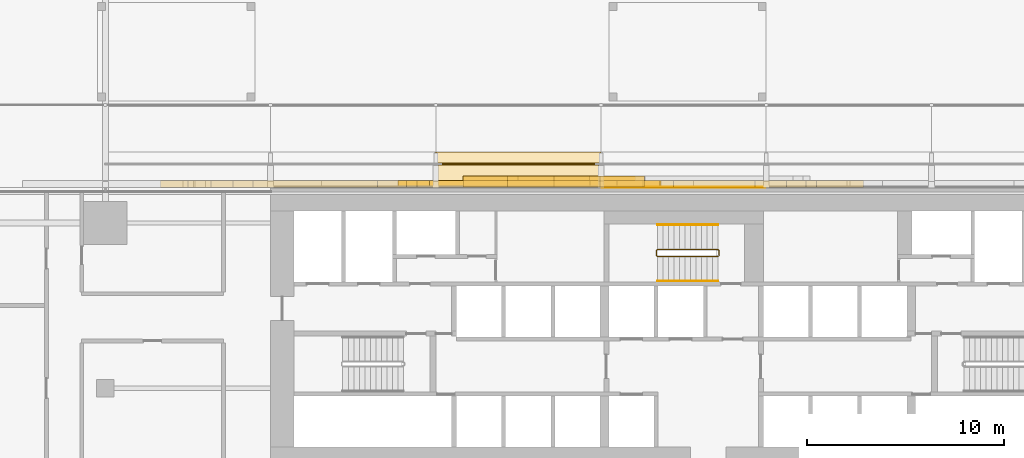
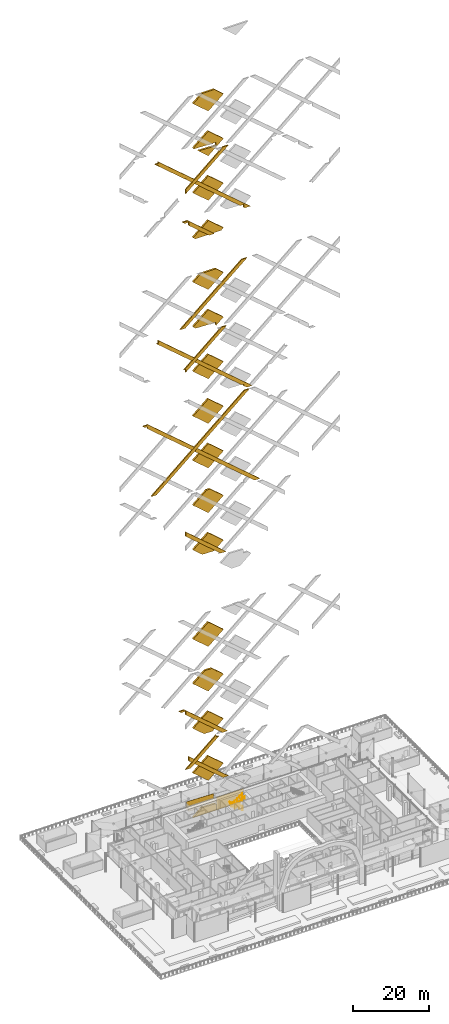
# One storey, part 42 of 60: 30 coverings, 4 railings.
"""IFC4 building model written with IfcOpenShell, lengths in metres."""

from ifc_helpers import new_model, si_unit, direction, frame, origin, origin_2d, place, context, subcontext, project, spatial, polyline, rectangle, circle, outline, extrude, material, layer, layer_set, type_object, element, save


model = new_model("IFC4")

# Units and contexts
model_context = context("Model", 3, precision=1e-05, world=origin(), true_north=direction((0.0, 1.0)))
body_context = subcontext(model_context, "Body", "Model", "MODEL_VIEW")
ifc_project = project(units=[si_unit("LENGTHUNIT", "METRE"), si_unit("AREAUNIT", "SQUARE_METRE"), si_unit("VOLUMEUNIT", "CUBIC_METRE"), si_unit("PLANEANGLEUNIT", "RADIAN"), si_unit("MASSUNIT", "GRAM", prefix="KILO")], contexts=[model_context])

# Site, building, storey
site_placement = place(None, origin())
site = spatial("IfcSite", under=ifc_project, at=site_placement, CompositionType="ELEMENT")
building_placement = place(site_placement, origin())
building = spatial("IfcBuilding", under=site, at=building_placement, Name="Saffron Gate Tower", CompositionType="ELEMENT")
storey_placement = place(building_placement, frame((0.0, 0.0, 19.199951171875)))
storey = spatial("IfcBuildingStorey", under=building, at=storey_placement, Name="L03", CompositionType="ELEMENT", Elevation=19.199951171875)

# Covering
ifc_material_1 = material(Name="Ceramic-printed bronze insulated panel")
ifc_layer_1 = layer(ifc_material_1, 0.0400390625)
ifc_layer_set_1 = layer_set([ifc_layer_1], Name="CLD1 ceramic-printed cladding panel 40")
covering_type_1 = type_object("IfcCoveringType", Name="CLD1 ceramic-printed cladding panel 40", PredefinedType="CLADDING", material=ifc_layer_set_1)
covering_1_placement = place(storey_placement, origin())
element("IfcCovering", 1, at=covering_1_placement, inside=storey, type_object=covering_type_1, Name="CLADDING ceramic-printed panel", PredefinedType="CLADDING", context=body_context, shape_type="SweptSolid", body=[
    extrude(outline(polyline([(91.760009765625, 75.639892578125), (83.43994140625, 75.639892578125), (83.43994140625, 75.60009765625), (91.760009765625, 75.60009765625), (91.760009765625, 75.639892578125)])), origin(), (0.0, 0.0, 1.0), 4.199951171875),
])

# Railings
ifc_material_2 = material(Name="Stainless steel and laminated glass", Category="steel")
railing_type_1 = type_object("IfcRailingType", Name="CR1 Stair guard 1100", PredefinedType="GUARDRAIL", material=ifc_material_2)
railing_1_placement = place(storey_placement, frame((89.39990234375, 72.14990234375, 0.0)))
element("IfcRailing", 2, at=railing_1_placement, inside=storey, type_object=railing_type_1, Name="L03 ST-C stair guard 1", PredefinedType="GUARDRAIL", context=body_context, shape_type="SweptSolid", body=[
    extrude(circle(Radius=0.02392578125, at=origin_2d()), frame((0.0, 0.0, 1.076171875), z_axis=(0.0, 1.0, 0.0), x_axis=(-1.0, 0.0, 0.0)), (0.0, 0.0, 1.0), 0.25),
    extrude(circle(Radius=0.02392578125, at=origin_2d()), frame((0.0, 0.25, 1.076171875), z_axis=(-0.248583702486, 0.249802250048, 0.935844527007), x_axis=(-0.708833529934, -0.705375805398, 0.0)), (0.0, 0.0, 1.0), 0.200439453125),
    extrude(circle(Radius=0.02392578125, at=origin_2d()), frame((-0.0498046875, 0.300048828125, 1.263671875), z_axis=(-0.830913701846, 0.0, 0.55640131208), x_axis=(0.0, -1.0, 0.0)), (0.0, 0.0, 1.0), 3.706787109375),
    extrude(circle(Radius=0.02392578125, at=origin_2d()), frame((-3.1298828125, 0.300048828125, 3.326171875), z_axis=(-0.707106781187, -0.707106781187, 0.0), x_axis=(0.707106781187, -0.707106781187, 0.0)), (0.0, 0.0, 1.0), 0.07080078125),
    extrude(circle(Radius=0.02392578125, at=origin_2d()), frame((-3.179931640625, 0.25, 3.326171875), z_axis=(0.0, -1.0, 0.0), x_axis=(1.0, 0.0, 0.0)), (0.0, 0.0, 1.0), 0.25),
    extrude(circle(Radius=0.02392578125, at=origin_2d()), frame((-3.179931640625, 0.0, 3.326171875), z_axis=(0.249802250048, -0.248583702486, 0.935844527007), x_axis=(0.705375805398, 0.708833529934, 0.0)), (0.0, 0.0, 1.0), 0.200439453125),
    extrude(circle(Radius=0.02392578125, at=origin_2d()), frame((-3.1298828125, -0.0498046875, 3.513671875), z_axis=(0.830913701846, 0.0, 0.55640131208), x_axis=(0.0, 1.0, 0.0)), (0.0, 0.0, 1.0), 3.706787109375),
    extrude(circle(Radius=0.02099609375, at=origin_2d()), origin(), (0.0, 0.0, 1.0), 1.052001953125),
    extrude(circle(Radius=0.02099609375, at=origin_2d()), frame((0.0, 0.25, 0.0)), (0.0, 0.0, 1.0), 1.052001953125),
    extrude(circle(Radius=0.02099609375, at=origin_2d()), frame((-0.0498046875, 0.300048828125, 0.1875)), (0.0, 0.0, 1.0), 1.052001953125),
    extrude(circle(Radius=0.02099609375, at=origin_2d()), frame((-0.81982421875, 0.300048828125, 0.703125)), (0.0, 0.0, 1.0), 1.052001953125),
    extrude(circle(Radius=0.02099609375, at=origin_2d()), frame((-1.58984375, 0.300048828125, 1.21875)), (0.0, 0.0, 1.0), 1.052001953125),
    extrude(circle(Radius=0.02099609375, at=origin_2d()), frame((-2.35986328125, 0.300048828125, 1.734375)), (0.0, 0.0, 1.0), 1.052001953125),
    extrude(circle(Radius=0.02099609375, at=origin_2d()), frame((-3.1298828125, 0.300048828125, 2.25)), (0.0, 0.0, 1.0), 1.052001953125),
    extrude(circle(Radius=0.02099609375, at=origin_2d()), frame((-3.179931640625, 0.25, 2.25)), (0.0, 0.0, 1.0), 1.052001953125),
    extrude(circle(Radius=0.02099609375, at=origin_2d()), frame((-3.179931640625, 0.0, 2.25)), (0.0, 0.0, 1.0), 1.052001953125),
    extrude(circle(Radius=0.02099609375, at=origin_2d()), frame((-3.1298828125, -0.0498046875, 2.4375)), (0.0, 0.0, 1.0), 1.052001953125),
    extrude(circle(Radius=0.02099609375, at=origin_2d()), frame((-2.35986328125, -0.0498046875, 2.953125)), (0.0, 0.0, 1.0), 1.052001953125),
    extrude(circle(Radius=0.02099609375, at=origin_2d()), frame((-1.58984375, -0.0498046875, 3.46875)), (0.0, 0.0, 1.0), 1.052001953125),
    extrude(circle(Radius=0.02099609375, at=origin_2d()), frame((-0.81982421875, -0.0498046875, 3.984375)), (0.0, 0.0, 1.0), 1.052001953125),
    extrude(circle(Radius=0.02099609375, at=origin_2d()), frame((-0.0498046875, -0.0498046875, 4.5)), (0.0, 0.0, 1.0), 1.052001953125),
])
ifc_material_3 = material(Name="Stainless steel", Category="steel")
railing_type_2 = type_object("IfcRailingType", Name="CR2 Stair handrail 900", PredefinedType="HANDRAIL", material=ifc_material_3)
railing_2_placement = place(storey_placement, frame((89.35009765625, 73.699951171875, 0.1875)))
element("IfcRailing", 3, at=railing_2_placement, inside=storey, type_object=railing_type_2, Name="L03 ST-C stair handrail 1", PredefinedType="HANDRAIL", context=body_context, shape_type="SweptSolid", body=[
    extrude(circle(Radius=0.02392578125, at=origin_2d()), frame((0.0, 0.0, 0.8759765625), z_axis=(-0.830913701846, 0.0, 0.55640131208), x_axis=(0.0, -1.0, 0.0)), (0.0, 0.0, 1.0), 3.706787109375),
    extrude(circle(Radius=0.02099609375, at=origin_2d()), origin(), (0.0, 0.0, 1.0), 0.851806640625),
    extrude(circle(Radius=0.02099609375, at=origin_2d()), frame((-0.77001953125, 0.0, 0.515625)), (0.0, 0.0, 1.0), 0.851806640625),
    extrude(circle(Radius=0.02099609375, at=origin_2d()), frame((-1.5400390625, 0.0, 1.03125)), (0.0, 0.0, 1.0), 0.851806640625),
    extrude(circle(Radius=0.02099609375, at=origin_2d()), frame((-2.31005859375, 0.0, 1.546875)), (0.0, 0.0, 1.0), 0.851806640625),
    extrude(circle(Radius=0.02099609375, at=origin_2d()), frame((-3.080078125, 0.0, 2.0625)), (0.0, 0.0, 1.0), 0.851806640625),
])
railing_3_placement = place(storey_placement, frame((86.27001953125, 70.85009765625, 2.4375)))
element("IfcRailing", 4, at=railing_3_placement, inside=storey, type_object=railing_type_2, Name="L03 ST-C stair handrail 2", PredefinedType="HANDRAIL", context=body_context, shape_type="SweptSolid", body=[
    extrude(circle(Radius=0.02392578125, at=origin_2d()), frame((0.0, 0.0, 0.8759765625), z_axis=(0.830913701846, 0.0, 0.55640131208), x_axis=(0.0, 1.0, 0.0)), (0.0, 0.0, 1.0), 3.706787109375),
    extrude(circle(Radius=0.02099609375, at=origin_2d()), origin(), (0.0, 0.0, 1.0), 0.851806640625),
    extrude(circle(Radius=0.02099609375, at=origin_2d()), frame((0.77001953125, 0.0, 0.515625)), (0.0, 0.0, 1.0), 0.851806640625),
    extrude(circle(Radius=0.02099609375, at=origin_2d()), frame((1.5400390625, 0.0, 1.03125)), (0.0, 0.0, 1.0), 0.851806640625),
    extrude(circle(Radius=0.02099609375, at=origin_2d()), frame((2.31005859375, 0.0, 1.546875)), (0.0, 0.0, 1.0), 0.851806640625),
    extrude(circle(Radius=0.02099609375, at=origin_2d()), frame((3.080078125, 0.0, 2.0625)), (0.0, 0.0, 1.0), 0.851806640625),
])

# Covering
ifc_material_4 = material(Name="Timber, thermally modified ash", Category="wood")
ifc_layer_2 = layer(ifc_material_4, 0.800048828125)
ifc_layer_set_2 = layer_set([ifc_layer_2], Name="LD1 ledge timber")
covering_type_2 = type_object("IfcCoveringType", Name="LD1 ledge timber", PredefinedType="CLADDING", material=ifc_layer_set_2)
covering_2_placement = place(storey_placement, frame((83.39990234375, 75.60009765625, 3.13037109375), z_axis=(0.028791175352, 0.0, 0.999585448184), x_axis=(-0.999585448184, 0.0, 0.028791175352)))
element("IfcCovering", 5, at=covering_2_placement, inside=storey, type_object=covering_type_2, Name="LEDGE", PredefinedType="CLADDING", context=body_context, shape_type="SweptSolid", body=[
    extrude(outline(polyline([(0.0, 0.0), (8.403385982666892, 0.0), (8.403385982666892, -1.7998046875), (0.0, -1.7998046875), (0.0, 0.0)])), origin(), (0.0, 0.0, -1.0), 0.800048828125),
])

# Railing
railing_type_3 = type_object("IfcRailingType", Name="LG1 ledge balustrade", PredefinedType="BALUSTRADE", material=ifc_material_4)
railing_4_placement = place(storey_placement, frame((83.39990234375, 76.800048828125, 3.13037109375)))
element("IfcRailing", 6, at=railing_4_placement, inside=storey, type_object=railing_type_3, Name="LEDGE BALUSTRADE", PredefinedType="BALUSTRADE", context=body_context, shape_type="SweptSolid", body=[
    extrude(rectangle(XDim=0.06005859375, YDim=1.60009765625, at=origin_2d()), frame((0.0, 0.0, 0.800048828125), z_axis=(-0.999585448184, 0.0, 0.028791175352), x_axis=(0.0, -1.0, 0.0)), (0.0, 0.0, 1.0), 8.4033203125),
])

# Coverings
ifc_layer_3 = layer(ifc_material_1, 0.35009765625)
ifc_layer_set_3 = layer_set([ifc_layer_3], Name="LZ1 lozenge lattice bar 1600")
covering_type_3 = type_object("IfcCoveringType", Name="LZ1 lozenge lattice bar 1600", PredefinedType="CLADDING", material=ifc_layer_set_3)
covering_3_placement = place(storey_placement, frame((93.818115234375, 75.949951171875, 191.298828125), z_axis=(0.0, 1.0, 0.0), x_axis=(-0.999586778905, 0.0, 0.028744937603)))
element("IfcCovering", 7, at=covering_3_placement, inside=storey, type_object=covering_type_3, Name="CLADDING lozenge lattice bar", PredefinedType="CLADDING", context=body_context, shape_type="SweptSolid", body=[
    extrude(outline(polyline([(0.0, 0.0), (1.6562019557102479, 0.0), (2.1513098613120185, 0.4002401824580365), (2.0304119402464553, 0.4002974405656668), (2.0534092938903306, 1.2000156716380643), (3.1405284601306898, 1.2000164993794065), (20.15627238262102, 14.956574736486916), (20.16465164421723, 15.247958187173653), (20.504599003351757, 15.238182381978072), (28.759909896450587, 21.912089050106463), (28.768289158046798, 22.2034725007932), (29.107992477440384, 22.193703713404652), (29.80114494884427, 22.754088776794095), (28.78496346755484, 22.783310925275355), (28.799335936356382, 23.283104314727986), (0.0, 0.0)])), origin(), (0.0, 0.0, -1.0), 0.35009765625),
])
covering_4_placement = place(storey_placement, frame((82.85009765625, 75.949951171875, 186.300048828125), z_axis=(0.0, 1.0, 0.0), x_axis=(-1.0, 0.0, 0.0)))
element("IfcCovering", 8, at=covering_4_placement, inside=storey, type_object=covering_type_3, Name="CLADDING lozenge lattice bar", PredefinedType="CLADDING", context=body_context, shape_type="SweptSolid", body=[
    extrude(outline(polyline([(0.0, 0.0), (1.60009765625, 0.0), (7.85009765625, 5.357177734375), (7.85009765625, 6.419921875), (9.090087890625, 6.419921875), (9.766845703125, 7.0), (8.166748046875, 7.0), (0.0, 0.0)])), origin(), (0.0, 0.0, -1.0), 0.35009765625),
])
covering_5_placement = place(storey_placement, frame((94.361328125, 75.949951171875, 133.233154296875), z_axis=(0.0, 1.0, 0.0), x_axis=(-0.999586778905, 0.0, 0.028744937603)))
element("IfcCovering", 9, at=covering_5_placement, inside=storey, type_object=covering_type_3, Name="CLADDING lozenge lattice bar", PredefinedType="CLADDING", context=body_context, shape_type="SweptSolid", body=[
    extrude(outline(polyline([(0.0, 0.0), (1.6562019557102479, 0.0), (2.583906020973024, 0.7500103121121291), (2.5968468571400383, 1.2000195944122511), (3.1405284601306898, 1.2000164993794065), (29.819897069065092, 22.76918098468709), (29.328401030804546, 22.783314848049542), (29.355707317966072, 23.73287348006135), (0.0, 0.0)])), origin(), (0.0, 0.0, -1.0), 0.35009765625),
])
covering_6_placement = place(storey_placement, frame((96.74072265625, 75.949951171875, 102.3935546875), z_axis=(0.0, 1.0, 0.0), x_axis=(-0.999582532533, 0.0, 0.028892224801)))
element("IfcCovering", 10, at=covering_6_placement, inside=storey, type_object=covering_type_3, Name="CLADDING lozenge lattice bar", PredefinedType="CLADDING", context=body_context, shape_type="SweptSolid", body=[
    extrude(outline(polyline([(0.0, 0.0), (1.6562089914967124, 0.0), (35.137307464557054, 27.059822312417403), (35.15501241676674, 27.672359460039235), (35.869557742757465, 27.651706033716543), (36.56279277847776, 28.211988956116635), (35.17177216435646, 28.252195421294008), (35.176928467171315, 28.430587714087455), (0.0, 0.0)])), origin(), (0.0, 0.0, -1.0), 0.35009765625),
])
covering_7_placement = place(storey_placement, frame((86.39306640625, 75.949951171875, 82.463134765625), z_axis=(0.0, 1.0, 0.0), x_axis=(-0.999586778905, 0.0, 0.028744937603)))
element("IfcCovering", 11, at=covering_7_placement, inside=storey, type_object=covering_type_3, Name="CLADDING lozenge lattice bar", PredefinedType="CLADDING", context=body_context, shape_type="SweptSolid", body=[
    extrude(outline(polyline([(0.0, 0.0), (1.6562019557102479, 0.0), (3.0262513181628887, 1.1075600587431145), (3.0289110670280177, 1.2000511205607645), (3.1405284601306898, 1.2000164993794065), (12.551351547591002, 8.808379334831718), (12.590770569689765, 10.179150559712298), (0.0, 0.0)])), origin(), (0.0, 0.0, -1.0), 0.35009765625),
])
covering_8_placement = place(storey_placement, frame((86.9365234375, 75.949951171875, 24.3974609375), z_axis=(0.0, 1.0, 0.0), x_axis=(-0.999586900679, 0.0, 0.028740702688)))
element("IfcCovering", 12, at=covering_8_placement, inside=storey, type_object=covering_type_3, Name="CLADDING lozenge lattice bar", PredefinedType="CLADDING", context=body_context, shape_type="SweptSolid", body=[
    extrude(outline(polyline([(0.0, 0.0), (1.6564459954660578, -6.938893903907228e-18), (13.107927745178568, 9.258197016341887), (13.142169597990861, 10.449111097228936), (14.5317320522062, 10.409157591099182), (15.22463810966932, 10.969552607911632), (13.62544549244538, 11.015533522149125), (0.0, 0.0)])), origin(), (0.0, 0.0, -1.0), 0.35009765625),
])
covering_9_placement = place(storey_placement, frame((87.142822265625, 75.949951171875, 9.820556640625), z_axis=(0.0, 1.0, 0.0), x_axis=(-0.999586778905, 0.0, 0.028744937603)))
element("IfcCovering", 13, at=covering_9_placement, inside=storey, type_object=covering_type_3, Name="CLADDING lozenge lattice bar", PredefinedType="CLADDING", context=body_context, shape_type="SweptSolid", body=[
    extrude(outline(polyline([(0.0, 0.0), (1.6562019557102479, 0.0), (12.39756170479775, 8.683842302938144), (12.436980726896513, 10.054613527818722), (0.0, 0.0)])), origin(), (0.0, 0.0, -1.0), 0.35009765625),
])
covering_10_placement = place(storey_placement, frame((75.639892578125, 75.949951171875, 16.320068359375), z_axis=(0.0, 1.0, 0.0), x_axis=(-1.0, 0.0, 0.0)))
element("IfcCovering", 14, at=covering_10_placement, inside=storey, type_object=covering_type_3, Name="CLADDING lozenge lattice bar", PredefinedType="CLADDING", context=body_context, shape_type="SweptSolid", body=[
    extrude(outline(polyline([(0.0, 0.0), (1.599853515625, 0.0), (-7.760009765625, 8.02294921875), (-7.760009765625, 7.379150390625), (-8.58154296875, 7.35546875), (0.0, 0.0)])), origin(), (0.0, 0.0, -1.0), 0.35009765625),
])
covering_11_placement = place(storey_placement, frame((65.12353515625, 75.949951171875, 108.10595703125), z_axis=(0.0, 1.0, 0.0), x_axis=(-0.999588349125, 0.0, 0.028690282217)))
element("IfcCovering", 15, at=covering_11_placement, inside=storey, type_object=covering_type_3, Name="CLADDING lozenge lattice bar", PredefinedType="CLADDING", context=body_context, shape_type="SweptSolid", body=[
    extrude(outline(polyline([(0.0, 0.0), (1.5487332405187242, 0.0), (-26.150593667454224, 25.156375509589996), (-27.69933391243638, 25.156131469465702), (0.0, 0.0)])), origin(), (0.0, 0.0, -1.0), 0.35009765625),
])
covering_12_placement = place(storey_placement, frame((74.10009765625, 75.949951171875, 144.60009765625), z_axis=(0.0, 1.0, 0.0), x_axis=(0.0, 0.0, 1.0)))
element("IfcCovering", 16, at=covering_12_placement, inside=storey, type_object=covering_type_3, Name="CLADDING lozenge lattice bar", PredefinedType="CLADDING", context=body_context, shape_type="SweptSolid", body=[
    extrude(outline(polyline([(0.0, 0.0), (0.869873046875, 0.0), (0.869873046875, -0.585205078125), (10.7314453125, 10.920166015625), (10.68701171875, 12.468017578125), (0.0, 0.0)])), origin(), (0.0, 0.0, -1.0), 0.35009765625),
])
covering_13_placement = place(storey_placement, frame((73.92724609375, 75.949951171875, 158.851806640625), z_axis=(0.0, 1.0, 0.0), x_axis=(-0.999583815893, 0.0, 0.028847790303)))
element("IfcCovering", 17, at=covering_13_placement, inside=storey, type_object=covering_type_3, Name="CLADDING lozenge lattice bar", PredefinedType="CLADDING", context=body_context, shape_type="SweptSolid", body=[
    extrude(outline(polyline([(0.0, 0.0), (1.548740264209261, 0.0), (-16.823368977695022, 16.69050553109513), (-18.42255665971285, 16.736657769828653), (0.0, 0.0)])), origin(), (0.0, 0.0, -1.0), 0.35009765625),
])
covering_14_placement = place(storey_placement, frame((74.10009765625, 75.949951171875, 202.199951171875), z_axis=(0.0, 1.0, 0.0), x_axis=(0.0, 0.0, 1.0)))
element("IfcCovering", 18, at=covering_14_placement, inside=storey, type_object=covering_type_3, Name="CLADDING lozenge lattice bar", PredefinedType="CLADDING", context=body_context, shape_type="SweptSolid", body=[
    extrude(outline(polyline([(0.0, 0.0), (1.320068359375, 0.0), (1.320068359375, -0.06005859375), (11.1669921875, 11.427978515625), (11.12255859375, 12.97607421875), (0.0, 0.0)])), origin(), (0.0, 0.0, -1.0), 0.35009765625),
])
ifc_layer_4 = layer(ifc_material_1, 0.550048828125)
ifc_layer_set_4 = layer_set([ifc_layer_4], Name="LZ2 rear relief panel 550")
covering_type_4 = type_object("IfcCoveringType", Name="LZ2 rear relief panel 550", PredefinedType="CLADDING", material=ifc_layer_set_4)
covering_15_placement = place(storey_placement, frame((79.0693359375, 76.18994140625, 2.30517578125), z_axis=(0.0, 1.0, 0.0), x_axis=(0.99958437842, 0.0, -0.028828291984)))
element("IfcCovering", 19, at=covering_15_placement, inside=storey, type_object=covering_type_4, Name="CLADDING rear relief panel", PredefinedType="CLADDING", context=body_context, shape_type="SweptSolid", body=[
    extrude(outline(polyline([(0.0, 0.0), (3.9972668191010903, 0.0), (6.614512884443449, 2.1153698658496385), (-2.621881049745919, 2.3817500404150413), (0.0, 0.0)])), origin(), (0.0, 0.0, -1.0), 0.550048828125),
])
covering_16_placement = place(storey_placement, frame((81.0, 76.18994140625, 18.360107421875), z_axis=(0.0, 1.0, 0.0), x_axis=(0.759267930803, 0.0, -0.650778156712)))
element("IfcCovering", 20, at=covering_16_placement, inside=storey, type_object=covering_type_4, Name="CLADDING rear relief panel", PredefinedType="CLADDING", context=body_context, shape_type="SweptSolid", body=[
    extrude(outline(polyline([(0.0, 0.0), (6.08496289658029, 4.440892098500626e-16), (5.154271040504804, 6.013528062300426), (-0.9308507374614021, 6.013342694153257), (0.0, 0.0)])), origin(), (0.0, 0.0, -1.0), 0.550048828125),
])
covering_17_placement = place(storey_placement, frame((81.0, 76.18994140625, 32.760009765625), z_axis=(0.0, 1.0, 0.0), x_axis=(0.759267930803, 0.0, -0.650778156712)))
element("IfcCovering", 21, at=covering_17_placement, inside=storey, type_object=covering_type_4, Name="CLADDING rear relief panel", PredefinedType="CLADDING", context=body_context, shape_type="SweptSolid", body=[
    extrude(outline(polyline([(0.0, 0.0), (6.08496289658029, 4.440892098500626e-16), (5.399325184257884, 4.428552393443298), (3.438952765712444, 6.013312837774449), (-0.9308507374614021, 6.013342694153257), (0.0, 0.0)])), origin(), (0.0, 0.0, -1.0), 0.550048828125),
])
covering_18_placement = place(storey_placement, frame((79.97021484375, 76.18994140625, 46.27734375), z_axis=(0.0, 1.0, 0.0), x_axis=(0.999586839071, 0.0, -0.028742845298)))
element("IfcCovering", 22, at=covering_18_placement, inside=storey, type_object=covering_type_4, Name="CLADDING rear relief panel", PredefinedType="CLADDING", context=body_context, shape_type="SweptSolid", body=[
    extrude(outline(polyline([(0.0, 0.0), (2.1319843682669744, 0.0), (3.462023681922523, 1.0752522473595594), (3.4656095202885666, 1.1999565624878155), (3.616308360845754, 1.2000196063243316), (5.736021043643987, 2.9137268507332537), (1.2316332526657203, 7.004847000673209), (-3.500395627538468, 3.179317477891782), (0.0, 0.0)])), origin(), (0.0, 0.0, -1.0), 0.550048828125),
])
covering_19_placement = place(storey_placement, frame((81.0, 76.18994140625, 61.56005859375), z_axis=(0.0, 1.0, 0.0), x_axis=(0.759267930803, 0.0, -0.650778156712)))
element("IfcCovering", 23, at=covering_19_placement, inside=storey, type_object=covering_type_4, Name="CLADDING rear relief panel", PredefinedType="CLADDING", context=body_context, shape_type="SweptSolid", body=[
    extrude(outline(polyline([(0.0, 0.0), (6.08496289658029, 4.440892098500626e-16), (5.154112159118887, 6.013342694153257), (-0.9308507374614021, 6.013342694153257), (0.0, 0.0)])), origin(), (0.0, 0.0, -1.0), 0.550048828125),
])
covering_20_placement = place(storey_placement, frame((81.0, 76.18994140625, 90.360107421875), z_axis=(0.0, 1.0, 0.0), x_axis=(0.759267930803, 0.0, -0.650778156712)))
element("IfcCovering", 24, at=covering_20_placement, inside=storey, type_object=covering_type_4, Name="CLADDING rear relief panel", PredefinedType="CLADDING", context=body_context, shape_type="SweptSolid", body=[
    extrude(outline(polyline([(0.0, 0.0), (6.08496289658029, 4.440892098500626e-16), (5.50179078742755, 3.767408822950029), (2.7235218353200055, 6.013326864787064), (-0.9308507374614021, 6.013342694153257), (0.0, 0.0)])), origin(), (0.0, 0.0, -1.0), 0.550048828125),
])
covering_21_placement = place(storey_placement, frame((80.478271484375, 76.18994140625, 104.312744140625), z_axis=(0.0, 1.0, 0.0), x_axis=(0.999588020959, 0.0, -0.028701713466)))
element("IfcCovering", 25, at=covering_21_placement, inside=storey, type_object=covering_type_4, Name="CLADDING rear relief panel", PredefinedType="CLADDING", context=body_context, shape_type="SweptSolid", body=[
    extrude(outline(polyline([(0.0, 0.0), (1.0802790366968944, 0.0), (5.2405477448156566, 3.363668373593337), (0.7359916129314803, 7.454603169879324), (-3.9958798472849777, 3.628878932986685), (0.0, 0.0)])), origin(), (0.0, 0.0, -1.0), 0.550048828125),
])
covering_22_placement = place(storey_placement, frame((81.0, 76.18994140625, 119.16015625), z_axis=(0.0, 1.0, 0.0), x_axis=(0.759248106108, 0.0, -0.650801285625)))
element("IfcCovering", 26, at=covering_22_placement, inside=storey, type_object=covering_type_4, Name="CLADDING rear relief panel", PredefinedType="CLADDING", context=body_context, shape_type="SweptSolid", body=[
    extrude(outline(polyline([(0.0, 0.0), (6.085121780789596, 0.0), (5.154454225335361, 6.01337104742287), (-0.9305086684216115, 6.0135564107300254), (0.0, 0.0)])), origin(), (0.0, 0.0, -1.0), 0.550048828125),
])
for number, where, z_axis, x_axis, name in (
    (27, (81.0, 76.18994140625, 133.56005859375), (0.0, 1.0, 0.0), (0.759267930803, 0.0, -0.650778156712), "CLADDING rear relief panel"),
    (28, (81.0, 76.18994140625, 147.9599609375), (0.0, 1.0, 0.0), (0.759267930803, 0.0, -0.650778156712), "CLADDING rear relief panel"),
):
    element("IfcCovering", number, at=place(storey_placement, frame(where, z_axis=z_axis, x_axis=x_axis)), inside=storey, type_object=covering_type_4, Name=name, PredefinedType="CLADDING", context=body_context, shape_type="SweptSolid", body=[
        extrude(outline(polyline([(0.0, 0.0), (6.08496289658029, 4.440892098500626e-16), (5.154112159118887, 6.013342694153257), (-0.9308507374614021, 6.013342694153257), (0.0, 0.0)])), origin(), (0.0, 0.0, -1.0), 0.550048828125),
    ])
covering_23_placement = place(storey_placement, frame((81.0, 76.18994140625, 162.360107421875), z_axis=(0.0, 1.0, 0.0), x_axis=(0.759267930803, 0.0, -0.650778156712)))
element("IfcCovering", 29, at=covering_23_placement, inside=storey, type_object=covering_type_4, Name="CLADDING rear relief panel", PredefinedType="CLADDING", context=body_context, shape_type="SweptSolid", body=[
    extrude(outline(polyline([(0.0, 0.0), (6.08496289658029, 4.440892098500626e-16), (5.6377053694441, 2.88981203070135), (4.966431513948499, 2.106631608913511), (0.1332789533639187, 6.013493621674478), (-0.9308507374614021, 6.013342694153257), (0.0, 0.0)])), origin(), (0.0, 0.0, -1.0), 0.550048828125),
])
covering_24_placement = place(storey_placement, frame((78.655029296875, 76.18994140625, 174.75), z_axis=(0.0, 1.0, 0.0), x_axis=(1.0, 0.0, 0.0)))
element("IfcCovering", 30, at=covering_24_placement, inside=storey, type_object=covering_type_4, Name="CLADDING rear relief panel", PredefinedType="CLADDING", context=body_context, shape_type="SweptSolid", body=[
    extrude(outline(polyline([(0.0, 0.0), (4.68994140625, 0.0), (6.965087890625, 1.949951171875), (2.344970703125, 5.909912109375), (-2.275146484375, 1.949951171875), (0.0, 0.0)])), origin(), (0.0, 0.0, -1.0), 0.550048828125),
])
covering_25_placement = place(storey_placement, frame((81.0, 76.18994140625, 191.16015625), z_axis=(0.0, 1.0, 0.0), x_axis=(0.759248106108, 0.0, -0.650801285625)))
element("IfcCovering", 31, at=covering_25_placement, inside=storey, type_object=covering_type_4, Name="CLADDING rear relief panel", PredefinedType="CLADDING", context=body_context, shape_type="SweptSolid", body=[
    extrude(outline(polyline([(0.0, 0.0), (6.085121780789596, 0.0), (5.943885255024059, 0.9111256552442839), (-0.008501264344740633, 6.01330604684655), (-0.9305086684216115, 6.0135564107300254), (0.0, 0.0)])), origin(), (0.0, 0.0, -1.0), 0.550048828125),
])
covering_26_placement = place(storey_placement, frame((81.0, 76.18994140625, 205.56005859375), z_axis=(0.0, 1.0, 0.0), x_axis=(0.759267930803, 0.0, -0.650778156712)))
element("IfcCovering", 32, at=covering_26_placement, inside=storey, type_object=covering_type_4, Name="CLADDING rear relief panel", PredefinedType="CLADDING", context=body_context, shape_type="SweptSolid", body=[
    extrude(outline(polyline([(0.0, 0.0), (6.08496289658029, 4.440892098500626e-16), (5.154112159118887, 6.013342694153257), (-0.9308507374614021, 6.013342694153257), (0.0, 0.0)])), origin(), (0.0, 0.0, -1.0), 0.550048828125),
])
covering_27_placement = place(storey_placement, frame((81.0, 76.18994140625, 219.9599609375), z_axis=(0.0, 1.0, 0.0), x_axis=(0.759267930803, 0.0, -0.650778156712)))
element("IfcCovering", 33, at=covering_27_placement, inside=storey, type_object=covering_type_4, Name="CLADDING rear relief panel", PredefinedType="CLADDING", context=body_context, shape_type="SweptSolid", body=[
    extrude(outline(polyline([(0.0, 0.0), (6.08496289658029, 4.440892098500626e-16), (5.701531215466963, 2.4765807449172748), (5.454674012868732, 2.6762679251629855), (5.637546488058184, 2.889626662554181), (5.154112159118887, 6.013342694153257), (1.1667968833243423, 6.0131938432568095), (5.389214881871291, 2.5998962485294728), (4.673454238319176, 1.7648127455343923), (-0.5823108584144361, 6.013322280539924), (-0.9308507374614021, 6.013342694153257), (0.0, 0.0)])), origin(), (0.0, 0.0, -1.0), 0.550048828125),
])
covering_28_placement = place(storey_placement, frame((79.179931640625, 76.18994140625, 232.800048828125), z_axis=(0.0, 1.0, 0.0), x_axis=(1.0, 0.0, 0.0)))
element("IfcCovering", 34, at=covering_28_placement, inside=storey, type_object=covering_type_4, Name="CLADDING rear relief panel", PredefinedType="CLADDING", context=body_context, shape_type="SweptSolid", body=[
    extrude(outline(polyline([(0.0, 0.0), (3.64013671875, 0.0), (6.440185546875, 2.39990234375), (1.820068359375, 6.360107421875), (-2.800048828125, 2.39990234375), (0.0, 0.0)])), origin(), (0.0, 0.0, -1.0), 0.550048828125),
])

save(model, "model.ifc")
